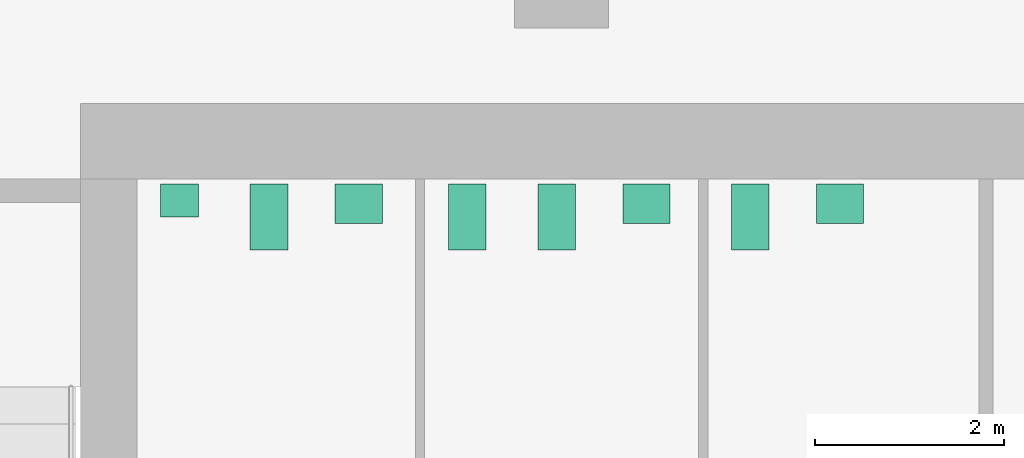
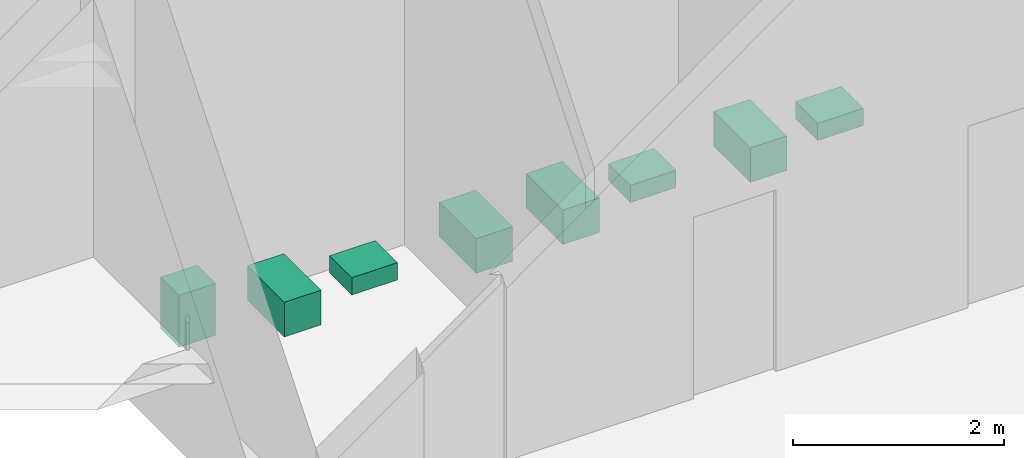
# One storey, part 10 of 11: 8 sanitary terminals.
"""IFC4 building model written with IfcOpenShell, lengths in metres."""

from ifc_helpers import new_model, si_unit, direction, frame, origin, origin_2d, place, context, subcontext, project, spatial, rectangle, extrude, material, type_object, element, save


model = new_model("IFC4")

# Units and contexts
model_context = context("Model", 3, precision=1e-05, world=origin(), true_north=direction((0.0, 1.0)))
body_context = subcontext(model_context, "Body", "Model", "MODEL_VIEW")
ifc_project = project(units=[si_unit("LENGTHUNIT", "METRE"), si_unit("AREAUNIT", "SQUARE_METRE"), si_unit("VOLUMEUNIT", "CUBIC_METRE"), si_unit("PLANEANGLEUNIT", "RADIAN"), si_unit("MASSUNIT", "GRAM", prefix="KILO")], contexts=[model_context])

# Site, building, storey
site_placement = place(None, origin())
site = spatial("IfcSite", under=ifc_project, at=site_placement, CompositionType="ELEMENT")
building_placement = place(site_placement, origin())
building = spatial("IfcBuilding", under=site, at=building_placement, Name="Cinnabar Reach Civic Tower", CompositionType="ELEMENT")
storey_placement = place(building_placement, frame((0.0, 0.0, 144.0)))
storey = spatial("IfcBuildingStorey", under=building, at=storey_placement, Name="L34", CompositionType="ELEMENT", Elevation=144.0)

# Sanitary terminals
ifc_material = material(Name="Vitreous china")
sanitary_terminal_type_1 = type_object("IfcSanitaryTerminalType", Name="T1 WC pan", PredefinedType="TOILETPAN", material=ifc_material)
for number, where, z_axis, x_axis, name in (
    (1, (5.9, 41.6, 0.0), (0.0, 0.0, 1.0), (1.0, 0.0, 0.0), "T1 WC pan 3404-2"),
    (2, (8.0, 41.6, 0.0), (0.0, 0.0, 1.0), (1.0, 0.0, 0.0), "T1 WC pan 3405-1"),
    (3, (8.95, 41.6, 0.0), (0.0, 0.0, 1.0), (1.0, 0.0, 0.0), "T1 WC pan 3405-2"),
    (4, (11.0, 41.6, 0.0), (0.0, 0.0, 1.0), (1.0, 0.0, 0.0), "T1 WC pan 3406-1"),
):
    element("IfcSanitaryTerminal", number, at=place(storey_placement, frame(where, z_axis=z_axis, x_axis=x_axis)), inside=storey, type_object=sanitary_terminal_type_1, Name=name, PredefinedType="TOILETPAN", context=body_context, shape_type="SweptSolid", body=[
        extrude(rectangle(XDim=0.4, YDim=0.7, at=origin_2d()), origin(), (0.0, 0.0, 1.0), 0.4),
    ])
sanitary_terminal_type_2 = type_object("IfcSanitaryTerminalType", Name="T1 urinal", PredefinedType="URINAL", material=ifc_material)
sanitary_terminal_placement = place(storey_placement, frame((4.95, 41.775, 0.0), z_axis=(0.0, 0.0, 1.0), x_axis=(1.0, 0.0, 0.0)))
element("IfcSanitaryTerminal", 5, at=sanitary_terminal_placement, inside=storey, type_object=sanitary_terminal_type_2, Name="T1 urinal 3404-1", PredefinedType="URINAL", context=body_context, shape_type="SweptSolid", body=[
    extrude(rectangle(XDim=0.4, YDim=0.35, at=origin_2d()), origin(), (0.0, 0.0, 1.0), 0.6),
])
sanitary_terminal_type_3 = type_object("IfcSanitaryTerminalType", Name="T1 wash basin", PredefinedType="WASHHANDBASIN", material=ifc_material)
for number, where, z_axis, x_axis, name in (
    (6, (6.85, 41.74, 0.0), (0.0, 0.0, 1.0), (1.0, 0.0, 0.0), "T1 wash basin 3404-3"),
    (7, (9.9, 41.74, 0.0), (0.0, 0.0, 1.0), (1.0, 0.0, 0.0), "T1 wash basin 3405-3"),
    (8, (11.95, 41.74, 0.0), (0.0, 0.0, 1.0), (1.0, 0.0, 0.0), "T1 wash basin 3406-2"),
):
    element("IfcSanitaryTerminal", number, at=place(storey_placement, frame(where, z_axis=z_axis, x_axis=x_axis)), inside=storey, type_object=sanitary_terminal_type_3, Name=name, PredefinedType="WASHHANDBASIN", context=body_context, shape_type="SweptSolid", body=[
        extrude(rectangle(XDim=0.5, YDim=0.42, at=origin_2d()), origin(), (0.0, 0.0, 1.0), 0.2),
    ])

save(model, "model.ifc")
